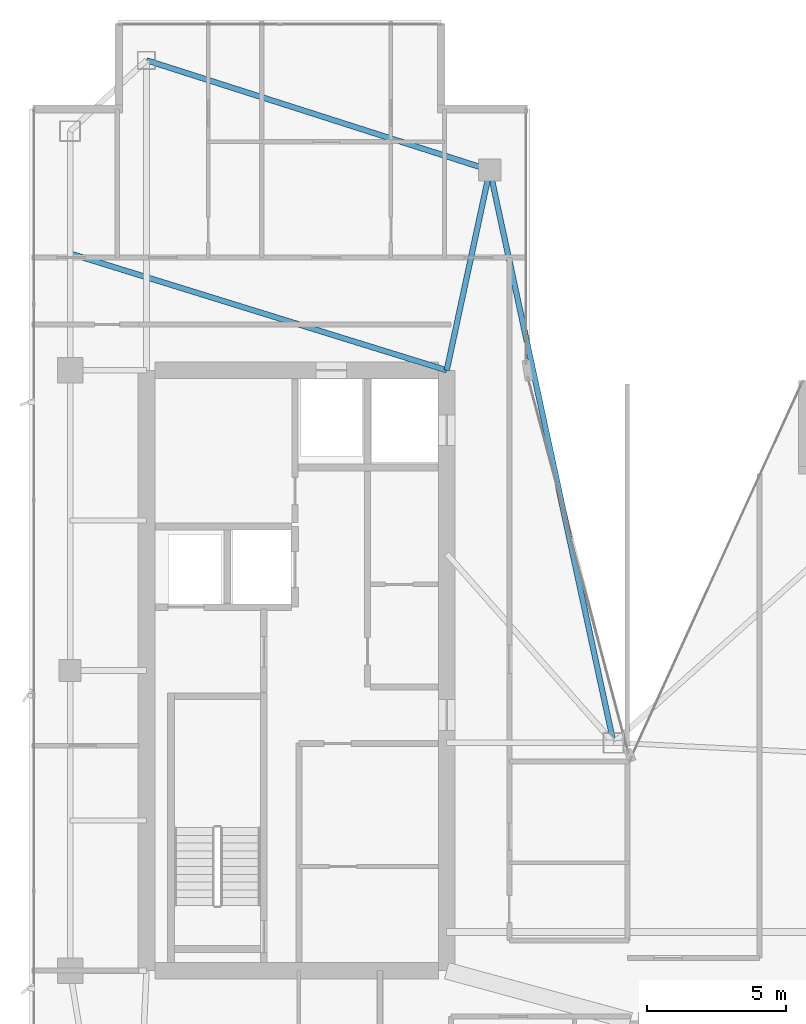
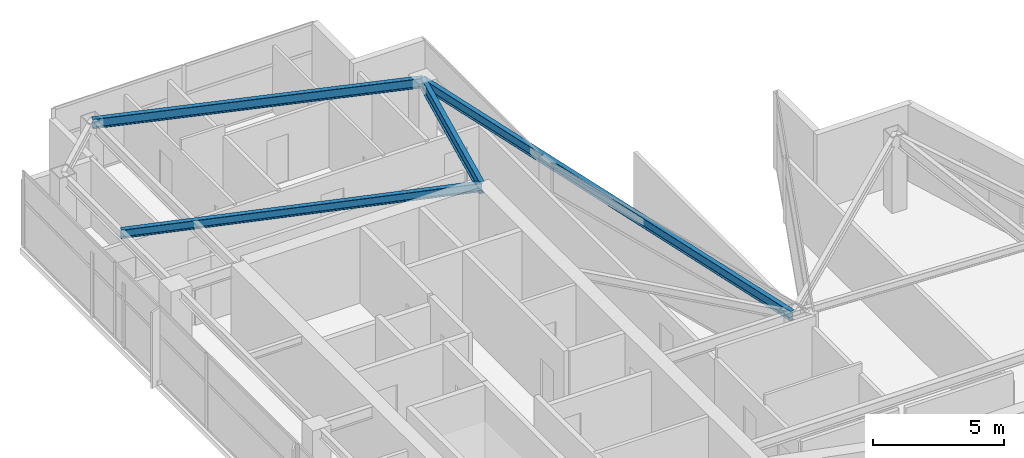
# One storey, part 18 of 27: 4 beams.
"""IFC4 building model written with IfcOpenShell, lengths in metres."""

from ifc_helpers import new_model, si_unit, direction, frame, origin, origin_2d, place, context, subcontext, project, spatial, i_section, extrude, material, material_profile, profile_set, type_object, element, save


model = new_model("IFC4")

# Units and contexts
model_context = context("Model", 3, precision=1e-05, world=origin(), true_north=direction((0.0, 1.0)))
body_context = subcontext(model_context, "Body", "Model", "MODEL_VIEW")
ifc_project = project(units=[si_unit("LENGTHUNIT", "METRE"), si_unit("AREAUNIT", "SQUARE_METRE"), si_unit("VOLUMEUNIT", "CUBIC_METRE"), si_unit("PLANEANGLEUNIT", "RADIAN"), si_unit("MASSUNIT", "GRAM", prefix="KILO")], contexts=[model_context])

# Site, building, storey
site_placement = place(None, origin())
site = spatial("IfcSite", under=ifc_project, at=site_placement, CompositionType="ELEMENT")
building_placement = place(site_placement, origin())
building = spatial("IfcBuilding", under=site, at=building_placement, Name="Calvorn Quay Hotel", CompositionType="ELEMENT")
storey_placement = place(building_placement, frame((0.0, 0.0, 294.89990234375)))
storey = spatial("IfcBuildingStorey", under=building, at=storey_placement, Name="L73", CompositionType="ELEMENT", Elevation=294.89990234375)

# Beams
ifc_material_1 = material(Name="Steel Q355B", Category="steel")
ifc_material_profile_1 = material_profile(ifc_material_1, i_section(OverallWidth=0.199951171875, OverallDepth=0.550048828125, WebThickness=0.010009765625, FlangeThickness=0.01611328125, FilletRadius=0.01806640625, at=origin_2d()), Name="HN550x200x10x16")
ifc_profile_set_1 = profile_set([ifc_material_profile_1], Name="Steel Q355B")
beam_type_1 = type_object("IfcBeamType", Name="BM-GIRD-UPP", PredefinedType="BEAM", material=ifc_profile_set_1)
beam_1_placement = place(storey_placement, frame((16.550048828125, 45.60009765625, 3.26513671875), z_axis=(-0.210457140491, -0.97760308511, 0.0), x_axis=(0.97760308511, -0.210457140491, 0.0)))
element("IfcBeam", 1, at=beam_1_placement, inside=storey, type_object=beam_type_1, Name="Beam BG-L73-W6", PredefinedType="BEAM", context=body_context, shape_type="SweptSolid", body=[
    extrude(i_section(OverallWidth=0.199951171875, OverallDepth=0.550048828125, WebThickness=0.010009765625, FlangeThickness=0.01611328125, FilletRadius=0.01806640625, at=origin_2d()), origin(), (0.0, 0.0, 1.0), 7.365234375),
])
ifc_material_2 = material(Name="Steel Q355B", Category="steel")
ifc_material_profile_2 = material_profile(ifc_material_2, i_section(OverallWidth=0.199951171875, OverallDepth=0.39990234375, WebThickness=0.008056640625, FlangeThickness=0.012939453125, FilletRadius=0.01611328125, at=origin_2d()), Name="HN400x200x8x13")
ifc_profile_set_2 = profile_set([ifc_material_profile_2], Name="Steel Q355B")
beam_type_2 = type_object("IfcBeamType", Name="BM-JOIST-TYP", PredefinedType="JOIST", material=ifc_profile_set_2)
beam_2_placement = place(storey_placement, frame((1.449951171875, 42.60009765625, 3.340087890625), z_axis=(0.955163702122, -0.296078202759, 0.0), x_axis=(0.296078202759, 0.955163702122, 0.0)))
element("IfcBeam", 2, at=beam_2_placement, inside=storey, type_object=beam_type_2, Name="Beam BJ-L73-W2", PredefinedType="JOIST", context=body_context, shape_type="SweptSolid", body=[
    extrude(i_section(OverallWidth=0.199951171875, OverallDepth=0.39990234375, WebThickness=0.008056640625, FlangeThickness=0.012939453125, FilletRadius=0.01611328125, at=origin_2d()), origin(), (0.0, 0.0, 1.0), 14.18603515625),
])
ifc_material_3 = material(Name="Steel Q355B", Category="steel")
ifc_material_profile_3 = material_profile(ifc_material_3, i_section(OverallWidth=0.199951171875, OverallDepth=0.449951171875, WebThickness=0.009033203125, FlangeThickness=0.013916015625, FilletRadius=0.01611328125, at=origin_2d()), Name="HN450x200x9x14")
ifc_profile_set_3 = profile_set([ifc_material_profile_3], Name="Steel Q355B")
beam_type_3 = type_object("IfcBeamType", Name="BM-SPANDREL-Z3", PredefinedType="SPANDREL", material=ifc_profile_set_3)
beam_3_placement = place(storey_placement, frame((4.199951171875, 49.550048828125, 3.315185546875), z_axis=(0.952470702374, -0.304630203885, 0.0), x_axis=(0.304630203885, 0.952470702374, 0.0)))
element("IfcBeam", 3, at=beam_3_placement, inside=storey, type_object=beam_type_3, Name="Beam BSP-L73-W6", PredefinedType="SPANDREL", context=body_context, shape_type="SweptSolid", body=[
    extrude(i_section(OverallWidth=0.199951171875, OverallDepth=0.449951171875, WebThickness=0.009033203125, FlangeThickness=0.013916015625, FilletRadius=0.01611328125, at=origin_2d()), origin(), (0.0, 0.0, 1.0), 12.96630859375),
])
beam_4_placement = place(storey_placement, frame((16.550048828125, 45.60009765625, 3.315185546875), z_axis=(0.211145848376, -0.977454567084, 0.0), x_axis=(0.977454567084, 0.211145848376, 0.0)))
element("IfcBeam", 4, at=beam_4_placement, inside=storey, type_object=beam_type_3, Name="Beam BSP-L73-W7", PredefinedType="SPANDREL", context=body_context, shape_type="SweptSolid", body=[
    extrude(i_section(OverallWidth=0.199951171875, OverallDepth=0.449951171875, WebThickness=0.009033203125, FlangeThickness=0.013916015625, FilletRadius=0.01611328125, at=origin_2d()), origin(), (0.0, 0.0, 1.0), 21.0751953125),
])

save(model, "model.ifc")
